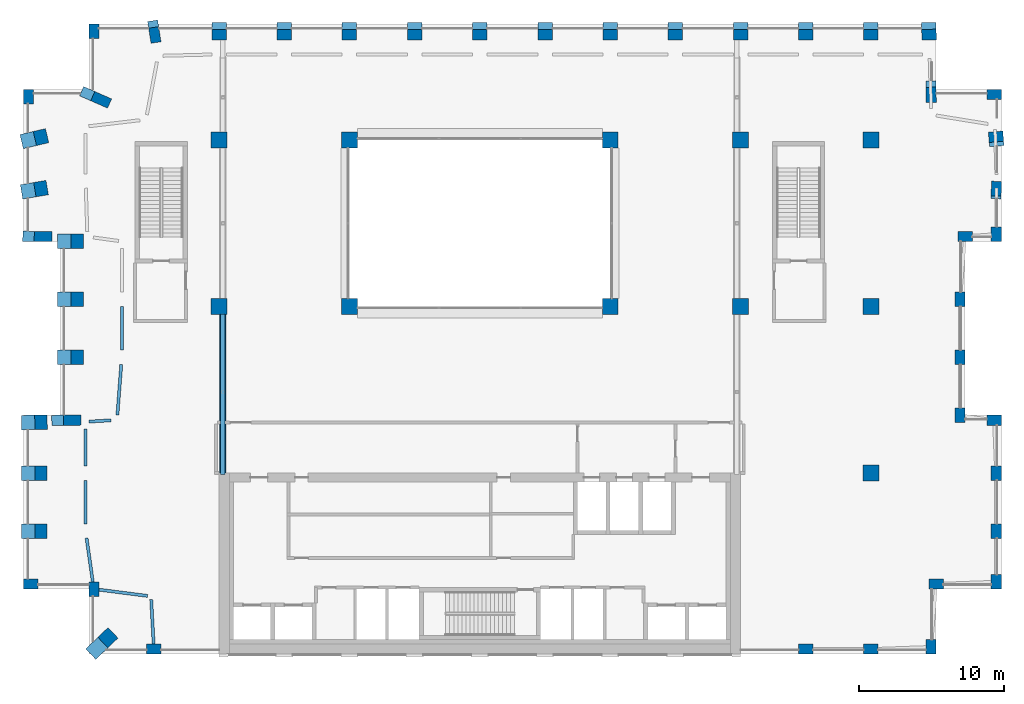
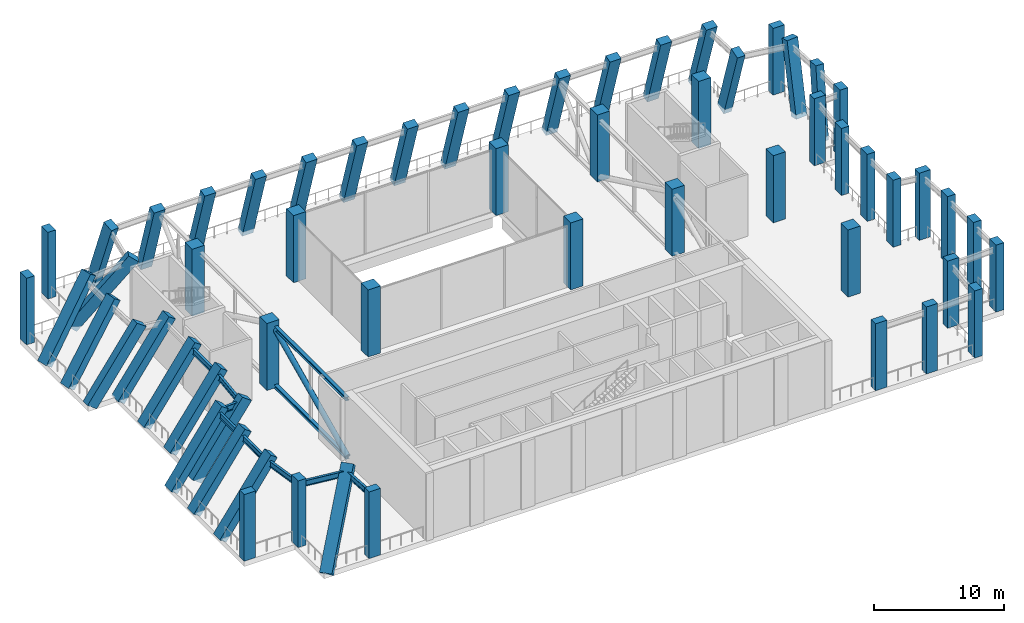
# One storey, part 1 of 14: 58 columns, 8 beams, 3 members.
"""IFC4 building model written with IfcOpenShell, lengths in metres."""

from ifc_helpers import new_model, si_unit, direction, frame, origin, origin_2d, place, context, subcontext, project, spatial, rectangle, hollow_circle, i_section, extrude, material, material_profile, profile_set, type_object, element, save


model = new_model("IFC4")

# Units and contexts
model_context = context("Model", 3, precision=1e-05, world=origin(), true_north=direction((0.0, 1.0)))
body_context = subcontext(model_context, "Body", "Model", "MODEL_VIEW")
ifc_project = project(units=[si_unit("LENGTHUNIT", "METRE"), si_unit("AREAUNIT", "SQUARE_METRE"), si_unit("VOLUMEUNIT", "CUBIC_METRE"), si_unit("PLANEANGLEUNIT", "RADIAN"), si_unit("MASSUNIT", "GRAM", prefix="KILO")], contexts=[model_context])

# Site, building, storey
site_placement = place(None, origin())
site = spatial("IfcSite", under=ifc_project, at=site_placement, CompositionType="ELEMENT")
building_placement = place(site_placement, origin())
building = spatial("IfcBuilding", under=site, at=building_placement, Name="Brigalow Station Residences", CompositionType="ELEMENT")
storey_placement = place(building_placement, frame((0.0, 0.0, 185.39990234375)))
storey = spatial("IfcBuildingStorey", under=building, at=storey_placement, Name="L54", CompositionType="ELEMENT", Elevation=185.39990234375)

# Columns
ifc_material_1 = material(Name="Concrete C65", Category="concrete")
ifc_material_profile_1 = material_profile(ifc_material_1, rectangle(XDim=1.10009765625, YDim=1.10009765625, at=origin_2d()), Name="RC1100x1100")
ifc_profile_set_1 = profile_set([ifc_material_profile_1], Name="Concrete C65")
column_type_1 = type_object("IfcColumnType", Name="COLUMN 1100x1100 C65", PredefinedType="COLUMN", material=ifc_profile_set_1)
for number, where, z_axis, x_axis, name in (
    (1, (18.0, 24.0, 0.0), (0.0, 0.0, 1.0), (1.0, 0.0, 0.0), "COLUMN C2 L54"),
    (2, (27.0, 24.0, 0.0), (0.0, 0.0, 1.0), (1.0, 0.0, 0.0), "COLUMN C3 L54"),
    (3, (45.0, 24.0, 0.0), (0.0, 0.0, 1.0), (1.0, 0.0, 0.0), "COLUMN C5 L54"),
    (4, (54.0, 24.0, 0.0), (0.0, 0.0, 1.0), (1.0, 0.0, 0.0), "COLUMN C6 L54"),
    (5, (63.0, 24.0, 0.0), (0.0, 0.0, 1.0), (1.0, 0.0, 0.0), "COLUMN C7 L54"),
    (6, (18.0, 35.5, 0.0), (0.0, 0.0, 1.0), (1.0, 0.0, 0.0), "COLUMN D2 L54"),
    (7, (27.0, 35.5, 0.0), (0.0, 0.0, 1.0), (1.0, 0.0, 0.0), "COLUMN D3 L54"),
    (8, (45.0, 35.5, 0.0), (0.0, 0.0, 1.0), (1.0, 0.0, 0.0), "COLUMN D5 L54"),
    (9, (54.0, 35.5, 0.0), (0.0, 0.0, 1.0), (1.0, 0.0, 0.0), "COLUMN D6 L54"),
    (10, (63.0, 35.5, 0.0), (0.0, 0.0, 1.0), (1.0, 0.0, 0.0), "COLUMN D7 L54"),
    (11, (63.0, 12.5, 0.0), (0.0, 0.0, 1.0), (1.0, 0.0, 0.0), "COLUMN B7 L54"),
):
    element("IfcColumn", number, at=place(storey_placement, frame(where, z_axis=z_axis, x_axis=x_axis)), inside=storey, type_object=column_type_1, Name=name, PredefinedType="COLUMN", context=body_context, shape_type="SweptSolid", body=[
        extrude(rectangle(XDim=1.10009765625, YDim=1.10009765625, at=origin_2d()), origin(), (0.0, 0.0, 1.0), 6.300048828125),
    ])
ifc_material_2 = material(Name="Concrete C65", Category="concrete")
ifc_material_profile_2 = material_profile(ifc_material_2, rectangle(XDim=1.0, YDim=0.699951171875, at=origin_2d()), Name="RC1000x700")
ifc_profile_set_2 = profile_set([ifc_material_profile_2], Name="Concrete C65")
column_type_2 = type_object("IfcColumnType", Name="KINK COLUMN 1000x700 C65", PredefinedType="USERDEFINED", material=ifc_profile_set_2)
column_1_placement = place(storey_placement, frame((71.648193359375, 31.94775390625, -0.438720703125), z_axis=(0.003957113298, 0.11820514587, 0.992981311377), x_axis=(-0.033223085113, -0.992425368156, 0.118271362789)))
element("IfcColumn", 12, at=column_1_placement, inside=storey, type_object=column_type_2, Name="KINK COLUMN E2-2 L54", ObjectType="KINK COLUMN", PredefinedType="USERDEFINED", context=body_context, shape_type="SweptSolid", body=[
    extrude(rectangle(XDim=1.0, YDim=0.699951171875, at=origin_2d()), origin(), (0.0, 0.0, 1.0), 6.724853515625),
])
column_2_placement = place(storey_placement, frame((71.656982421875, 35.419189453125, -0.43359375), z_axis=(-0.015620927682, 0.183311946282, 0.982930677601), x_axis=(-0.996388856943, -0.084907277423, 0.0)))
element("IfcColumn", 13, at=column_2_placement, inside=storey, type_object=column_type_2, Name="KINK COLUMN NE1-1 L54", ObjectType="KINK COLUMN", PredefinedType="USERDEFINED", context=body_context, shape_type="SweptSolid", body=[
    extrude(rectangle(XDim=1.0, YDim=0.699951171875, at=origin_2d()), origin(), (0.0, 0.0, 1.0), 6.782958984375),
])
column_3_placement = place(storey_placement, frame((67.148681640625, 39.110107421875, -0.3466796875), z_axis=(0.003762709644, -0.302593526016, 0.953112270422), x_axis=(-0.011850906213, 0.953038591061, 0.302616919505)))
element("IfcColumn", 14, at=column_3_placement, inside=storey, type_object=column_type_2, Name="KINK COLUMN NE2-1 L54", ObjectType="KINK COLUMN", PredefinedType="USERDEFINED", context=body_context, shape_type="SweptSolid", body=[
    extrude(rectangle(XDim=1.0, YDim=0.699951171875, at=origin_2d()), origin(), (0.0, 0.0, 1.0), 6.812744140625),
])
column_4_placement = place(storey_placement, frame((66.996826171875, 43.273193359375, -0.393310546875), z_axis=(0.007604090627, -0.2991060206, 0.954189586113), x_axis=(0.999676999045, 0.02541451517, 0.0)))
element("IfcColumn", 15, at=column_4_placement, inside=storey, type_object=column_type_2, Name="KINK COLUMN N-1 L54", ObjectType="KINK COLUMN", PredefinedType="USERDEFINED", context=body_context, shape_type="SweptSolid", body=[
    extrude(rectangle(XDim=1.0, YDim=0.699951171875, at=origin_2d()), origin(), (0.0, 0.0, 1.0), 6.90283203125),
])
for number, where, z_axis, x_axis, name in (
    (16, (63.0, 43.273193359375, -0.393310546875), (0.0, -0.299114668458, 0.954217173977), (1.0, 0.0, 0.0), "KINK COLUMN N-2 L54"),
    (17, (58.5, 43.273193359375, -0.393310546875), (0.0, -0.299114668458, 0.954217173977), (1.0, 0.0, 0.0), "KINK COLUMN N-3 L54"),
    (18, (54.0, 43.273193359375, -0.393310546875), (0.0, -0.299114668458, 0.954217173977), (1.0, 0.0, 0.0), "KINK COLUMN N-4 L54"),
    (19, (49.5, 43.273193359375, -0.393310546875), (0.0, -0.299114668458, 0.954217173977), (1.0, 0.0, 0.0), "KINK COLUMN N-5 L54"),
    (20, (45.0, 43.273193359375, -0.393310546875), (0.0, -0.299114668458, 0.954217173977), (1.0, 0.0, 0.0), "KINK COLUMN N-6 L54"),
    (21, (40.5, 43.273193359375, -0.393310546875), (0.0, -0.299114668458, 0.954217173977), (1.0, 0.0, 0.0), "KINK COLUMN N-7 L54"),
    (22, (36.0, 43.273193359375, -0.393310546875), (0.0, -0.299114668458, 0.954217173977), (1.0, 0.0, 0.0), "KINK COLUMN N-8 L54"),
    (23, (31.5, 43.273193359375, -0.393310546875), (0.0, -0.299114668458, 0.954217173977), (1.0, 0.0, 0.0), "KINK COLUMN N-9 L54"),
    (24, (27.0, 43.273193359375, -0.393310546875), (0.0, -0.299114668458, 0.954217173977), (1.0, 0.0, 0.0), "KINK COLUMN N-10 L54"),
    (25, (22.5, 43.273193359375, -0.393310546875), (0.0, -0.299114668458, 0.954217173977), (1.0, 0.0, 0.0), "KINK COLUMN N-11 L54"),
    (26, (18.0, 43.273193359375, -0.393310546875), (0.0, -0.299114668458, 0.954217173977), (1.0, 0.0, 0.0), "KINK COLUMN N-12 L54"),
):
    element("IfcColumn", number, at=place(storey_placement, frame(where, z_axis=z_axis, x_axis=x_axis)), inside=storey, type_object=column_type_2, Name=name, ObjectType="KINK COLUMN", PredefinedType="USERDEFINED", context=body_context, shape_type="SweptSolid", body=[
        extrude(rectangle(XDim=1.0, YDim=0.699951171875, at=origin_2d()), origin(), (0.0, 0.0, 1.0), 6.902587890625),
    ])
column_5_placement = place(storey_placement, frame((13.482666015625, 43.2626953125, -0.338134765625), z_axis=(0.048865429585, -0.315839275137, 0.947553545755), x_axis=(-0.144878090274, 0.936412334942, 0.319597055568)))
element("IfcColumn", 27, at=column_5_placement, inside=storey, type_object=column_type_2, Name="KINK COLUMN NW1-1 L54", ObjectType="KINK COLUMN", PredefinedType="USERDEFINED", context=body_context, shape_type="SweptSolid", body=[
    extrude(rectangle(XDim=1.0, YDim=0.699951171875, at=origin_2d()), origin(), (0.0, 0.0, 1.0), 6.834716796875),
])
column_6_placement = place(storey_placement, frame((8.864013671875, 38.709716796875, -0.1904296875), z_axis=(0.56318814367, -0.247194840254, 0.788488316833), x_axis=(-0.722002217943, 0.316901598397, 0.615049733126)))
element("IfcColumn", 28, at=column_6_placement, inside=storey, type_object=column_type_2, Name="KINK COLUMN NW2-1 L54", ObjectType="KINK COLUMN", PredefinedType="USERDEFINED", context=body_context, shape_type="SweptSolid", body=[
    extrude(rectangle(XDim=1.0, YDim=0.699951171875, at=origin_2d()), origin(), (0.0, 0.0, 1.0), 7.8388671875),
])
column_7_placement = place(storey_placement, frame((4.642822265625, 35.451416015625, -0.29150390625), z_axis=(0.573821143221, 0.134649609205, 0.807835861009), x_axis=(-0.228449086941, 0.973555861097, 0.0)))
element("IfcColumn", 29, at=column_7_placement, inside=storey, type_object=column_type_2, Name="KINK COLUMN W2-1 L54", ObjectType="KINK COLUMN", PredefinedType="USERDEFINED", context=body_context, shape_type="SweptSolid", body=[
    extrude(rectangle(XDim=1.0, YDim=0.699951171875, at=origin_2d()), origin(), (0.0, 0.0, 1.0), 7.901611328125),
])
column_8_placement = place(storey_placement, frame((4.6416015625, 31.965087890625, -0.29345703125), z_axis=(0.576373625224, 0.096589574263, 0.811457884484), x_axis=(-0.165276818119, 0.986247217179, 0.0)))
element("IfcColumn", 30, at=column_8_placement, inside=storey, type_object=column_type_2, Name="KINK COLUMN W2-2 L54", ObjectType="KINK COLUMN", PredefinedType="USERDEFINED", context=body_context, shape_type="SweptSolid", body=[
    extrude(rectangle(XDim=1.0, YDim=0.699951171875, at=origin_2d()), origin(), (0.0, 0.0, 1.0), 7.87109375),
])
column_9_placement = place(storey_placement, frame((4.85205078125, 28.850830078125, -0.20947265625), z_axis=(0.576938216518, -0.003238523863, 0.816781369942), x_axis=(-0.816768502235, 0.004584761781, 0.57694730584)))
element("IfcColumn", 31, at=column_9_placement, inside=storey, type_object=column_type_2, Name="KINK COLUMN WL1-1 L54", ObjectType="KINK COLUMN", PredefinedType="USERDEFINED", context=body_context, shape_type="SweptSolid", body=[
    extrude(rectangle(XDim=1.0, YDim=0.699951171875, at=origin_2d()), origin(), (0.0, 0.0, 1.0), 7.614013671875),
])
for number, where, z_axis, x_axis, name in (
    (32, (7.14013671875, 28.5, -0.295166015625), (0.579109092373, 0.0, 0.815250059264), (0.0, 1.0, 0.0), "KINK COLUMN WL2-1 L54"),
    (33, (7.14013671875, 24.5, -0.295166015625), (0.579109092373, 0.0, 0.815250059264), (0.0, 1.0, 0.0), "KINK COLUMN WL2-2 L54"),
    (34, (7.14013671875, 20.5, -0.295166015625), (0.579109092373, 0.0, 0.815250059264), (0.0, 1.0, 0.0), "KINK COLUMN WL2-3 L54"),
):
    element("IfcColumn", number, at=place(storey_placement, frame(where, z_axis=z_axis, x_axis=x_axis)), inside=storey, type_object=column_type_2, Name=name, ObjectType="KINK COLUMN", PredefinedType="USERDEFINED", context=body_context, shape_type="SweptSolid", body=[
        extrude(rectangle(XDim=1.0, YDim=0.699951171875, at=origin_2d()), origin(), (0.0, 0.0, 1.0), 7.8388671875),
    ])
column_10_placement = place(storey_placement, frame((6.851806640625, 16.149169921875, -0.207275390625), z_axis=(0.581238188207, 0.003228568279, 0.813727070286), x_axis=(-0.813714517203, -0.00451989035, 0.581247154904)))
element("IfcColumn", 35, at=column_10_placement, inside=storey, type_object=column_type_2, Name="KINK COLUMN WL3-1 L54", ObjectType="KINK COLUMN", PredefinedType="USERDEFINED", context=body_context, shape_type="SweptSolid", body=[
    extrude(rectangle(XDim=1.0, YDim=0.699951171875, at=origin_2d()), origin(), (0.0, 0.0, 1.0), 7.637451171875),
])
column_11_placement = place(storey_placement, frame((4.64013671875, 15.997802734375, -0.295166015625), z_axis=(0.579097057746, 0.006446869472, 0.815233117326), x_axis=(-0.011131933628, 0.999938038107, 0.0)))
element("IfcColumn", 36, at=column_11_placement, inside=storey, type_object=column_type_2, Name="KINK COLUMN W1-1 L54", ObjectType="KINK COLUMN", PredefinedType="USERDEFINED", context=body_context, shape_type="SweptSolid", body=[
    extrude(rectangle(XDim=1.0, YDim=0.699951171875, at=origin_2d()), origin(), (0.0, 0.0, 1.0), 7.839111328125),
])
for number, where, z_axis, x_axis, name in (
    (37, (4.64013671875, 12.5, -0.295166015625), (0.579109092373, 0.0, 0.815250059264), (0.0, 1.0, 0.0), "KINK COLUMN W1-2 L54"),
    (38, (4.64013671875, 8.5, -0.295166015625), (0.579109092373, 0.0, 0.815250059264), (0.0, 1.0, 0.0), "KINK COLUMN W1-3 L54"),
):
    element("IfcColumn", number, at=place(storey_placement, frame(where, z_axis=z_axis, x_axis=x_axis)), inside=storey, type_object=column_type_2, Name=name, ObjectType="KINK COLUMN", PredefinedType="USERDEFINED", context=body_context, shape_type="SweptSolid", body=[
        extrude(rectangle(XDim=1.0, YDim=0.699951171875, at=origin_2d()), origin(), (0.0, 0.0, 1.0), 7.8388671875),
    ])
column_12_placement = place(storey_placement, frame((9.32373046875, 0.180908203125, -0.256591796875), z_axis=(0.4973590485, 0.477243924474, 0.724480650831), x_axis=(-0.692365140148, 0.721547304553, 0.0)))
element("IfcColumn", 39, at=column_12_placement, inside=storey, type_object=column_type_2, Name="KINK COLUMN SW2-1 L54", ObjectType="KINK COLUMN", PredefinedType="USERDEFINED", context=body_context, shape_type="SweptSolid", body=[
    extrude(rectangle(XDim=1.0, YDim=0.699951171875, at=origin_2d()), origin(), (0.0, 0.0, 1.0), 8.714599609375),
])
ifc_material_3 = material(Name="Concrete C65", Category="concrete")
ifc_material_profile_3 = material_profile(ifc_material_3, rectangle(XDim=1.0, YDim=0.699951171875, at=origin_2d()), Name="RC1000x700")
ifc_profile_set_3 = profile_set([ifc_material_profile_3], Name="Concrete C65")
column_type_3 = type_object("IfcColumnType", Name="PIER 1000x700 C65", PredefinedType="USERDEFINED", material=ifc_profile_set_3)
for number, where, z_axis, x_axis, name in (
    (40, (71.64990234375, 5.0, 0.0), (0.0, 0.0, 1.0), (0.0, 1.0, 0.0), "PIER E1-1 L54"),
    (41, (71.64990234375, 8.5, 0.0), (0.0, 0.0, 1.0), (0.0, 1.0, 0.0), "PIER E1-2 L54"),
    (42, (71.64990234375, 12.5, 0.0), (0.0, 0.0, 1.0), (0.0, 1.0, 0.0), "PIER E1-3 L54"),
    (43, (71.64990234375, 29.0, 0.0), (0.0, 0.0, 1.0), (0.0, 1.0, 0.0), "PIER E2-1 L54"),
    (44, (71.5, 16.14990234375, 0.0), (0.0, 0.0, 1.0), (-1.0, 0.0, 0.0), "PIER EL1-1 L54"),
    (45, (69.14990234375, 16.5, 0.0), (0.0, 0.0, 1.0), (0.0, 1.0, 0.0), "PIER EL2-1 L54"),
    (46, (69.14990234375, 20.5, 0.0), (0.0, 0.0, 1.0), (0.0, 1.0, 0.0), "PIER EL2-2 L54"),
    (47, (69.14990234375, 24.5, 0.0), (0.0, 0.0, 1.0), (0.0, 1.0, 0.0), "PIER EL2-3 L54"),
    (48, (69.5, 28.85009765625, 0.0), (0.0, 0.0, 1.0), (1.0, 0.0, 0.0), "PIER EL3-1 L54"),
):
    element("IfcColumn", number, at=place(storey_placement, frame(where, z_axis=z_axis, x_axis=x_axis)), inside=storey, type_object=column_type_3, Name=name, ObjectType="PIER", PredefinedType="USERDEFINED", context=body_context, shape_type="SweptSolid", body=[
        extrude(rectangle(XDim=1.0, YDim=0.699951171875, at=origin_2d()), origin(), (0.0, 0.0, 1.0), 6.300048828125),
    ])
for number, where, z_axis, x_axis, name in (
    (49, (71.5, 38.64990234375, 0.0), (0.0, 0.0, 1.0), (-1.0, 0.0, 0.0), "PIER NE1-1 L54"),
    (50, (9.35009765625, 43.0, 0.0), (0.0, 0.0, 1.0), (0.0, -1.0, 0.0), "PIER NW1-1 L54"),
):
    element("IfcColumn", number, at=place(storey_placement, frame(where, z_axis=z_axis, x_axis=x_axis)), inside=storey, type_object=column_type_3, Name=name, ObjectType="PIER", PredefinedType="USERDEFINED", context=body_context, shape_type="SweptSolid", body=[
        extrude(rectangle(XDim=1.0, YDim=0.699951171875, at=origin_2d()), origin(), (0.0, 0.0, 1.0), 6.260009765625),
    ])
for number, where, z_axis, x_axis, name in (
    (51, (58.5, 0.35009765625, 0.0), (0.0, 0.0, 1.0), (1.0, 0.0, 0.0), "PIER S-12 L54"),
    (52, (63.0, 0.35009765625, 0.0), (0.0, 0.0, 1.0), (1.0, 0.0, 0.0), "PIER S-13 L54"),
):
    element("IfcColumn", number, at=place(storey_placement, frame(where, z_axis=z_axis, x_axis=x_axis)), inside=storey, type_object=column_type_3, Name=name, ObjectType="PIER", PredefinedType="USERDEFINED", context=body_context, shape_type="SweptSolid", body=[
        extrude(rectangle(XDim=1.0, YDim=0.699951171875, at=origin_2d()), origin(), (0.0, 0.0, 1.0), 6.300048828125),
    ])
column_13_placement = place(storey_placement, frame((13.5, 0.35009765625, 0.0), z_axis=(0.0, 0.0, 1.0), x_axis=(1.0, 0.0, 0.0)))
element("IfcColumn", 53, at=column_13_placement, inside=storey, type_object=column_type_3, Name="PIER S-2 L54", ObjectType="PIER", PredefinedType="USERDEFINED", context=body_context, shape_type="SweptSolid", body=[
    extrude(rectangle(XDim=1.0, YDim=0.699951171875, at=origin_2d()), origin(), (0.0, 0.0, 1.0), 6.260009765625),
])
for number, where, z_axis, x_axis, name in (
    (54, (67.14990234375, 0.5, 0.0), (0.0, 0.0, 1.0), (0.0, 1.0, 0.0), "PIER SE1-1 L54"),
    (55, (67.5, 4.85009765625, 0.0), (0.0, 0.0, 1.0), (1.0, 0.0, 0.0), "PIER SE2-1 L54"),
):
    element("IfcColumn", number, at=place(storey_placement, frame(where, z_axis=z_axis, x_axis=x_axis)), inside=storey, type_object=column_type_3, Name=name, ObjectType="PIER", PredefinedType="USERDEFINED", context=body_context, shape_type="SweptSolid", body=[
        extrude(rectangle(XDim=1.0, YDim=0.699951171875, at=origin_2d()), origin(), (0.0, 0.0, 1.0), 6.300048828125),
    ])
for number, where, z_axis, x_axis, name in (
    (56, (5.0, 4.85009765625, 0.0), (0.0, 0.0, 1.0), (1.0, 0.0, 0.0), "PIER SW1-1 L54"),
    (57, (9.35009765625, 4.5, 0.0), (0.0, 0.0, 1.0), (0.0, -1.0, 0.0), "PIER SW2-1 L54"),
    (58, (4.85009765625, 38.5, 0.0), (0.0, 0.0, 1.0), (0.0, -1.0, 0.0), "PIER W2-1 L54"),
):
    element("IfcColumn", number, at=place(storey_placement, frame(where, z_axis=z_axis, x_axis=x_axis)), inside=storey, type_object=column_type_3, Name=name, ObjectType="PIER", PredefinedType="USERDEFINED", context=body_context, shape_type="SweptSolid", body=[
        extrude(rectangle(XDim=1.0, YDim=0.699951171875, at=origin_2d()), origin(), (0.0, 0.0, 1.0), 6.260009765625),
    ])

# Beams
ifc_material_4 = material(Name="Steel Grade 300 to AS/NZS 3679.1", Category="steel")
ifc_material_profile_4 = material_profile(ifc_material_4, i_section(OverallWidth=0.208984375, OverallDepth=0.532958984375, WebThickness=0.01025390625, FlangeThickness=0.015625, FilletRadius=0.013916015625, at=origin_2d()), Name="530UB92.4")
ifc_profile_set_4 = profile_set([ifc_material_profile_4], Name="Steel Grade 300 to AS/NZS 3679.1")
beam_type = type_object("IfcBeamType", Name="BELT GIRDER 530UB92.4", PredefinedType="USERDEFINED", material=ifc_profile_set_4)
beam_1_placement = place(storey_placement, frame((11.280517578125, 24.0, 5.53369140625), z_axis=(0.0, -1.0, 0.0), x_axis=(1.0, 0.0, 0.0)))
element("IfcBeam", 59, at=beam_1_placement, inside=storey, type_object=beam_type, Name="BELT GIRDER 35 L54", ObjectType="BELT GIRDER", PredefinedType="USERDEFINED", context=body_context, shape_type="SweptSolid", body=[
    extrude(i_section(OverallWidth=0.208984375, OverallDepth=0.532958984375, WebThickness=0.01025390625, FlangeThickness=0.015625, FilletRadius=0.013916015625, at=origin_2d()), origin(), (0.0, 0.0, 1.0), 3.0),
])
beam_2_placement = place(storey_placement, frame((11.243408203125, 20.010009765625, 5.53369140625), z_axis=(-0.075584101444, -0.997139430375, 0.0), x_axis=(0.997139430375, -0.075584101444, 0.0)))
element("IfcBeam", 60, at=beam_2_placement, inside=storey, type_object=beam_type, Name="BELT GIRDER 36 L54", ObjectType="BELT GIRDER", PredefinedType="USERDEFINED", context=body_context, shape_type="SweptSolid", body=[
    extrude(i_section(OverallWidth=0.208984375, OverallDepth=0.532958984375, WebThickness=0.01025390625, FlangeThickness=0.015625, FilletRadius=0.013916015625, at=origin_2d()), origin(), (0.0, 0.0, 1.0), 3.5078125),
])
beam_3_placement = place(storey_placement, frame((10.537841796875, 16.1474609375, 5.53369140625), z_axis=(-0.998264426024, -0.058890879894, 0.0), x_axis=(0.058890879894, -0.998264426024, 0.0)))
element("IfcBeam", 61, at=beam_3_placement, inside=storey, type_object=beam_type, Name="BELT GIRDER 37 L54", ObjectType="BELT GIRDER", PredefinedType="USERDEFINED", context=body_context, shape_type="SweptSolid", body=[
    extrude(i_section(OverallWidth=0.208984375, OverallDepth=0.532958984375, WebThickness=0.01025390625, FlangeThickness=0.015625, FilletRadius=0.013916015625, at=origin_2d()), origin(), (0.0, 0.0, 1.0), 1.525634765625),
])
beam_4_placement = place(storey_placement, frame((8.780517578125, 15.548828125, 5.53369140625), z_axis=(0.0, -1.0, 0.0), x_axis=(1.0, 0.0, 0.0)))
element("IfcBeam", 62, at=beam_4_placement, inside=storey, type_object=beam_type, Name="BELT GIRDER 38 L54", ObjectType="BELT GIRDER", PredefinedType="USERDEFINED", context=body_context, shape_type="SweptSolid", body=[
    extrude(i_section(OverallWidth=0.208984375, OverallDepth=0.532958984375, WebThickness=0.01025390625, FlangeThickness=0.015625, FilletRadius=0.013916015625, at=origin_2d()), origin(), (0.0, 0.0, 1.0), 2.548828125),
])
beam_5_placement = place(storey_placement, frame((8.780517578125, 12.0, 5.53369140625), z_axis=(0.0, -1.0, 0.0), x_axis=(1.0, 0.0, 0.0)))
element("IfcBeam", 63, at=beam_5_placement, inside=storey, type_object=beam_type, Name="BELT GIRDER 39 L54", ObjectType="BELT GIRDER", PredefinedType="USERDEFINED", context=body_context, shape_type="SweptSolid", body=[
    extrude(i_section(OverallWidth=0.208984375, OverallDepth=0.532958984375, WebThickness=0.01025390625, FlangeThickness=0.015625, FilletRadius=0.013916015625, at=origin_2d()), origin(), (0.0, 0.0, 1.0), 3.0),
])
beam_6_placement = place(storey_placement, frame((8.849609375, 8.014892578125, 5.53369140625), z_axis=(0.140963429345, -0.990014803721, 0.0), x_axis=(0.990014803721, 0.140963429345, 0.0)))
element("IfcBeam", 64, at=beam_6_placement, inside=storey, type_object=beam_type, Name="BELT GIRDER 40 L54", ObjectType="BELT GIRDER", PredefinedType="USERDEFINED", context=body_context, shape_type="SweptSolid", body=[
    extrude(i_section(OverallWidth=0.208984375, OverallDepth=0.532958984375, WebThickness=0.01025390625, FlangeThickness=0.015625, FilletRadius=0.013916015625, at=origin_2d()), origin(), (0.0, 0.0, 1.0), 3.060302734375),
])
beam_7_placement = place(storey_placement, frame((9.68505859375, 4.45703125, 5.53369140625), z_axis=(0.991931189997, -0.126777420353, 0.0), x_axis=(0.126777420353, 0.991931189997, 0.0)))
element("IfcBeam", 65, at=beam_7_placement, inside=storey, type_object=beam_type, Name="BELT GIRDER 41 L54", ObjectType="BELT GIRDER", PredefinedType="USERDEFINED", context=body_context, shape_type="SweptSolid", body=[
    extrude(i_section(OverallWidth=0.208984375, OverallDepth=0.532958984375, WebThickness=0.01025390625, FlangeThickness=0.015625, FilletRadius=0.013916015625, at=origin_2d()), origin(), (0.0, 0.0, 1.0), 3.40673828125),
])
beam_8_placement = place(storey_placement, frame((13.311279296875, 3.768310546875, 5.53369140625), z_axis=(0.055114767082, -0.998480026064, 0.0), x_axis=(0.998480026064, 0.055114767082, 0.0)))
element("IfcBeam", 66, at=beam_8_placement, inside=storey, type_object=beam_type, Name="BELT GIRDER 42 L54", ObjectType="BELT GIRDER", PredefinedType="USERDEFINED", context=body_context, shape_type="SweptSolid", body=[
    extrude(i_section(OverallWidth=0.208984375, OverallDepth=0.532958984375, WebThickness=0.01025390625, FlangeThickness=0.015625, FilletRadius=0.013916015625, at=origin_2d()), origin(), (0.0, 0.0, 1.0), 3.0830078125),
])

# Members
ifc_material_5 = material(Name="Steel Grade C350L0 to AS/NZS 1163", Category="steel")
ifc_material_profile_5 = material_profile(ifc_material_5, hollow_circle(Radius=0.228515625, WallThickness=0.0126953125, at=origin_2d()), Name="457.0x12.7CHS")
ifc_profile_set_5 = profile_set([ifc_material_profile_5], Name="Steel Grade C350L0 to AS/NZS 1163")
member_type_1 = type_object("IfcMemberType", Name="OUTRIGGER BRACE 457.0x12.7CHS", PredefinedType="BRACE", material=ifc_profile_set_5)
member_placement = place(storey_placement, frame((18.260009765625, 12.40234375, 0.25146484375), z_axis=(0.0, 0.906805549875, 0.421549160496), x_axis=(-1.0, 0.0, 0.0)))
element("IfcMember", 67, at=member_placement, inside=storey, type_object=member_type_1, Name="OUTRIGGER BRACE W1 L54", PredefinedType="BRACE", context=body_context, shape_type="SweptSolid", body=[
    extrude(hollow_circle(Radius=0.228515625, WallThickness=0.0126953125, at=origin_2d()), origin(), (0.0, 0.0, 1.0), 12.41650390625),
])
ifc_material_6 = material(Name="Steel Grade 300 to AS/NZS 3679.1", Category="steel")
ifc_material_profile_6 = material_profile(ifc_material_6, i_section(OverallWidth=0.30908203125, OverallDepth=0.320556640625, WebThickness=0.013916015625, FlangeThickness=0.021728515625, FilletRadius=0.0166015625, at=origin_2d()), Name="310UC137")
ifc_profile_set_6 = profile_set([ifc_material_profile_6], Name="Steel Grade 300 to AS/NZS 3679.1")
member_type_2 = type_object("IfcMemberType", Name="OUTRIGGER CHORD 310UC137", PredefinedType="CHORD", material=ifc_profile_set_6)
for number, where, z_axis, x_axis, name in (
    (68, (18.260009765625, 12.39990234375, 0.157470703125), (0.0, 1.0, 0.0), (-1.0, 0.0, 0.0), "OUTRIGGER CHORD W LOWER 1 L54"),
    (69, (18.260009765625, 12.39990234375, 5.642822265625), (0.0, 1.0, 0.0), (-1.0, 0.0, 0.0), "OUTRIGGER CHORD W UPPER 1 L54"),
):
    element("IfcMember", number, at=place(storey_placement, frame(where, z_axis=z_axis, x_axis=x_axis)), inside=storey, type_object=member_type_2, Name=name, PredefinedType="CHORD", context=body_context, shape_type="SweptSolid", body=[
        extrude(i_section(OverallWidth=0.30908203125, OverallDepth=0.320556640625, WebThickness=0.013916015625, FlangeThickness=0.021728515625, FilletRadius=0.0166015625, at=origin_2d()), origin(), (0.0, 0.0, 1.0), 11.150146484375),
    ])

save(model, "model.ifc")
